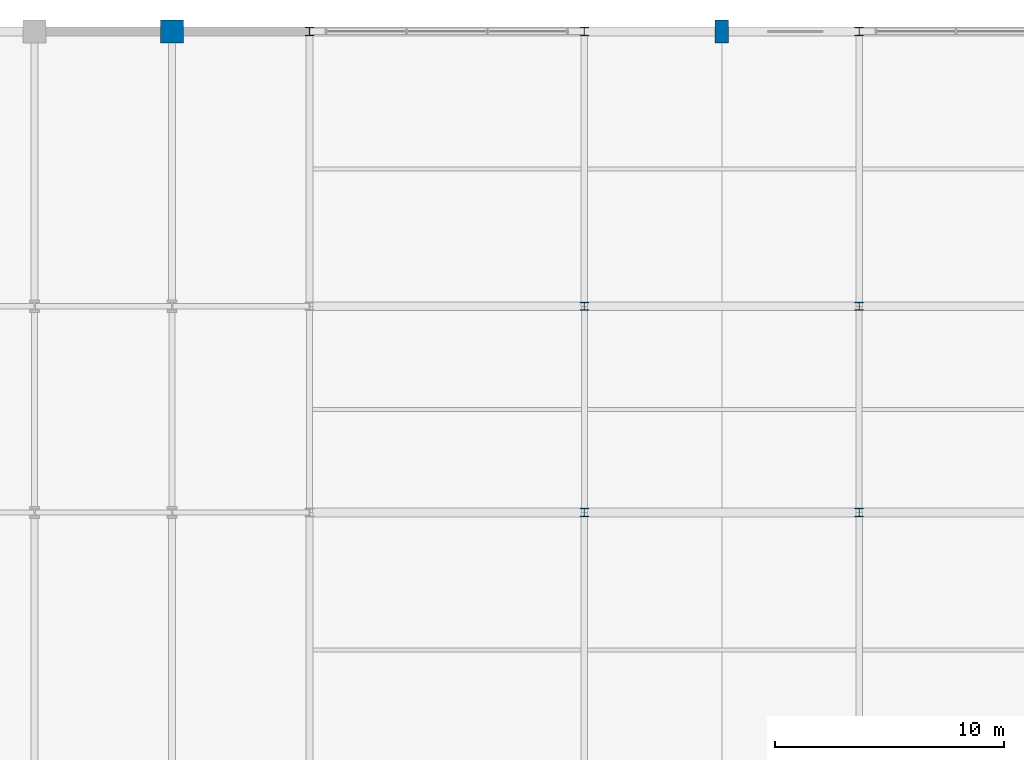
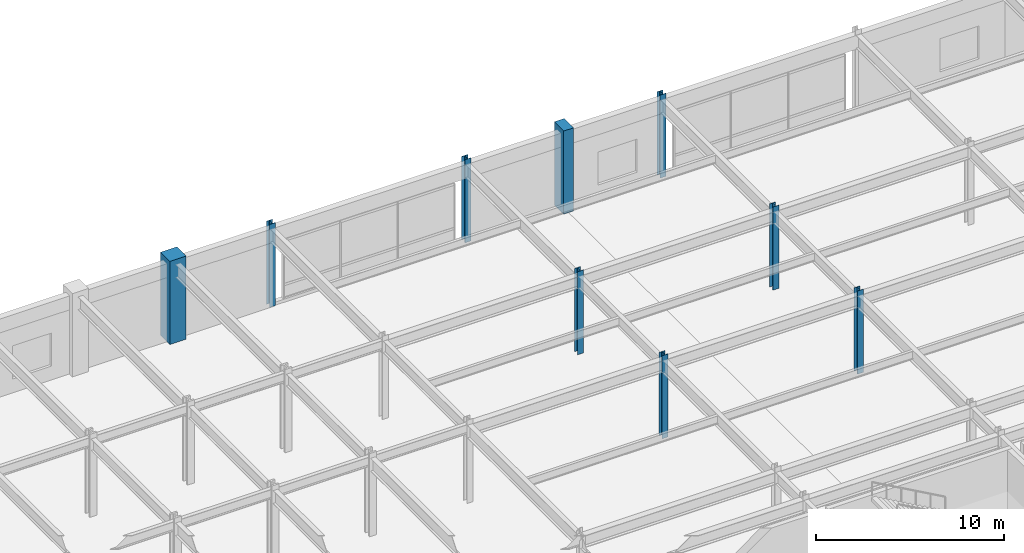
# One storey, part 14 of 100: 9 columns.
"""IFC4 building model written with IfcOpenShell, lengths in metres."""

from ifc_helpers import new_model, si_unit, direction, frame, origin, origin_2d, place, context, subcontext, project, spatial, rectangle, i_section, extrude, material, material_profile, profile_set, type_object, element, save


model = new_model("IFC4")

# Units and contexts
model_context = context("Model", 3, precision=1e-05, world=origin(), true_north=direction((0.0, 1.0)))
body_context = subcontext(model_context, "Body", "Model", "MODEL_VIEW")
ifc_project = project(units=[si_unit("LENGTHUNIT", "METRE"), si_unit("AREAUNIT", "SQUARE_METRE"), si_unit("VOLUMEUNIT", "CUBIC_METRE"), si_unit("PLANEANGLEUNIT", "RADIAN"), si_unit("MASSUNIT", "GRAM", prefix="KILO")], contexts=[model_context])

# Site, building, storey
site_placement = place(None, origin())
site = spatial("IfcSite", under=ifc_project, at=site_placement, CompositionType="ELEMENT")
building_placement = place(site_placement, origin())
building = spatial("IfcBuilding", under=site, at=building_placement, Name="Kaldorvane Square Convention Centre", CompositionType="ELEMENT")
storey_placement = place(building_placement, frame((0.0, 0.0, 18.0)))
storey = spatial("IfcBuildingStorey", under=building, at=storey_placement, Name="L03", CompositionType="ELEMENT", Elevation=18.0)

# Columns
ifc_material_1 = material(Name="Concrete f'c = 55 MPa (Normalweight)", Category="concrete")
ifc_material_profile_1 = material_profile(ifc_material_1, rectangle(XDim=1.0, YDim=1.0, at=origin_2d()), Name="RC1000X1000")
ifc_profile_set_1 = profile_set([ifc_material_profile_1], Name="Concrete f'c = 55 MPa (Normalweight)")
column_type_1 = type_object("IfcColumnType", Name="COL-RC-1000", PredefinedType="COLUMN", material=ifc_profile_set_1)
column_1_placement = place(storey_placement, frame((96.0, 117.0, 0.0), z_axis=(0.0, 0.0, 1.0), x_axis=(1.0, 0.0, 0.0)))
element("IfcColumn", 1, at=column_1_placement, inside=storey, type_object=column_type_1, Name="Column CC-02 (L03)", PredefinedType="COLUMN", context=body_context, shape_type="SweptSolid", body=[
    extrude(rectangle(XDim=1.0, YDim=1.0, at=origin_2d()), origin(), (0.0, 0.0, 1.0), 5.399993896484375),
])
ifc_material_2 = material(Name="Steel ASTM A992 Gr. 50", Category="steel")
ifc_material_profile_2 = material_profile(ifc_material_2, i_section(OverallWidth=0.3701019287109375, OverallDepth=0.360198974609375, WebThickness=0.012298583984375, FlangeThickness=0.019805908203125, FilletRadius=0.0305023193359375, at=origin_2d()), Name="W14X99")
ifc_profile_set_2 = profile_set([ifc_material_profile_2], Name="Steel ASTM A992 Gr. 50")
column_type_2 = type_object("IfcColumnType", Name="COL-STL-99", PredefinedType="COLUMN", material=ifc_profile_set_2)
for number, where, z_axis, x_axis, name in (
    (2, (102.0, 117.0, 0.0), (0.0, 0.0, 1.0), (1.0, 0.0, 0.0), "Column SC-12 (L03)"),
    (3, (114.0, 96.0, 0.0), (0.0, 0.0, 1.0), (1.0, 0.0, 0.0), "Column SC-12 (L03)"),
    (4, (114.0, 105.0, 0.0), (0.0, 0.0, 1.0), (1.0, 0.0, 0.0), "Column SC-12 (L03)"),
    (5, (114.0, 117.0, 0.0), (0.0, 0.0, 1.0), (1.0, 0.0, 0.0), "Column SC-12 (L03)"),
    (6, (126.0, 96.0, 0.0), (0.0, 0.0, 1.0), (1.0, 0.0, 0.0), "Column SC-12 (L03)"),
    (7, (126.0, 105.0, 0.0), (0.0, 0.0, 1.0), (1.0, 0.0, 0.0), "Column SC-12 (L03)"),
    (8, (126.0, 117.0, 0.0), (0.0, 0.0, 1.0), (1.0, 0.0, 0.0), "Column SC-12 (L03)"),
):
    element("IfcColumn", number, at=place(storey_placement, frame(where, z_axis=z_axis, x_axis=x_axis)), inside=storey, type_object=column_type_2, Name=name, PredefinedType="COLUMN", context=body_context, shape_type="SweptSolid", body=[
        extrude(i_section(OverallWidth=0.3701019287109375, OverallDepth=0.360198974609375, WebThickness=0.012298583984375, FlangeThickness=0.019805908203125, FilletRadius=0.0305023193359375, at=origin_2d()), origin(), (0.0, 0.0, 1.0), 5.399993896484375),
    ])
ifc_material_profile_3 = material_profile(ifc_material_1, rectangle(XDim=0.600006103515625, YDim=1.0, at=origin_2d()), Name="PIL1000X600")
ifc_profile_set_3 = profile_set([ifc_material_profile_3], Name="Concrete f'c = 55 MPa (Normalweight)")
column_type_3 = type_object("IfcColumnType", Name="PIL-BRUT-1000", PredefinedType="PILASTER", material=ifc_profile_set_3)
column_2_placement = place(storey_placement, frame((120.0, 117.0, 0.0), z_axis=(0.0, 0.0, 1.0), x_axis=(1.0, 0.0, 0.0)))
element("IfcColumn", 9, at=column_2_placement, inside=storey, type_object=column_type_3, Name="Brutalist Colonnade Pilaster (L03)", PredefinedType="PILASTER", context=body_context, shape_type="SweptSolid", body=[
    extrude(rectangle(XDim=0.600006103515625, YDim=1.0, at=origin_2d()), origin(), (0.0, 0.0, 1.0), 5.399993896484375),
])

save(model, "model.ifc")
